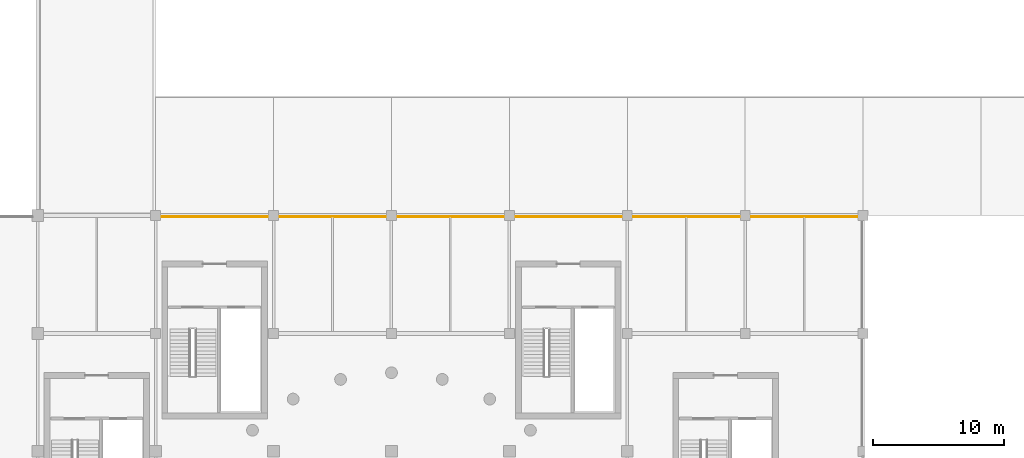
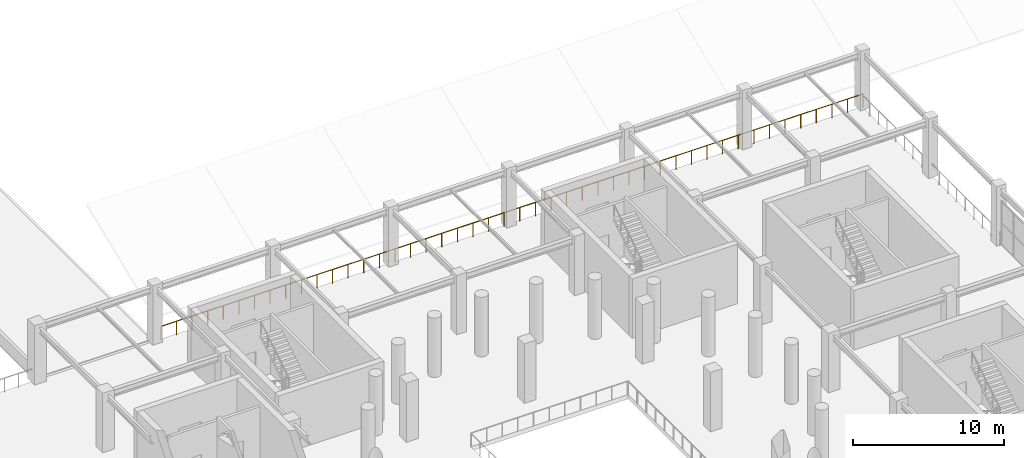
# One storey, part 78 of 89: 1 railing.
"""IFC4 building model written with IfcOpenShell, lengths in metres."""

import ifcopenshell
import ifcopenshell.guid

model = None  # the IFC model being written
_history = None  # IfcOwnerHistory: only IFC2X3 demands one
_inside = {}  # id of a spatial element -> (the spatial element, [elements in it])
_under = {}  # id of a project, library or spatial element -> (it, [spatial elements below it])
_declared = {}  # id of a project -> (the project, [libraries it declares])
_typed = {}  # id of a type object -> (the type object, [elements of that type])
_made_of = {}  # id of a material, layer set ... -> (it, [elements and type objects made of it])


def new_model(schema):
    """Start an empty IFC model of exactly this schema.

    Asked for "IFC4X3", IfcOpenShell would pick the latest addendum, in which some entities
    have other attributes; the version numbers below select the first issue.
    IFC2X3 requires an IfcOwnerHistory on every rooted entity: one is made here for all.
    """
    global model, _history
    if schema == "IFC4X3":
        model = ifcopenshell.file(schema_version=(4, 3, 0, 0))
    else:
        model = ifcopenshell.file(schema=schema)
    _inside.clear()
    _under.clear()
    _declared.clear()
    _typed.clear()
    _made_of.clear()
    _history = None
    if model.schema == "IFC2X3":
        org = make("IfcOrganization", Name="unknown")
        user = make(
            "IfcPersonAndOrganization",
            ThePerson=make("IfcPerson", FamilyName="unknown"),
            TheOrganization=org,
        )
        app = make(
            "IfcApplication",
            ApplicationDeveloper=org,
            Version="unknown",
            ApplicationFullName="unknown",
            ApplicationIdentifier="unknown",
        )
        _history = make(
            "IfcOwnerHistory",
            OwningUser=user,
            OwningApplication=app,
            ChangeAction="ADDED",
            CreationDate=0,
        )
    return model


def make(cls, **values):
    """One entity of the class cls with the attributes given. An attribute that is None is left unset."""
    return model.create_entity(
        cls, **{name: value for name, value in values.items() if value is not None}
    )


def rooted(cls, **values):
    """An entity with a GlobalId (a new one), such as an element, a storey or a relation."""
    return make(cls, GlobalId=ifcopenshell.guid.new(), OwnerHistory=_history, **values)


def si_unit(unit_type, name, prefix=None):
    """IfcSIUnit, for example si_unit("LENGTHUNIT", "METRE", prefix="MILLI")."""
    return make("IfcSIUnit", UnitType=unit_type, Prefix=prefix, Name=name)


def assignment(units):
    """IfcUnitAssignment: the units of a project."""
    return None if units is None else make("IfcUnitAssignment", Units=units)


def point(xyz):
    """IfcCartesianPoint."""
    return None if xyz is None else make("IfcCartesianPoint", Coordinates=xyz)


def direction(xyz):
    """IfcDirection."""
    return None if xyz is None else make("IfcDirection", DirectionRatios=xyz)


def frame(location, z_axis=None, x_axis=None):
    """IfcAxis2Placement3D, a coordinate frame: its origin and axes. An axis left out is left unset."""
    return make(
        "IfcAxis2Placement3D",
        Location=point(location),
        Axis=direction(z_axis),
        RefDirection=direction(x_axis),
    )


def frame_2d(location, x_axis=None):
    """IfcAxis2Placement2D, a coordinate frame in the plane: its origin and x axis."""
    return make(
        "IfcAxis2Placement2D", Location=point(location), RefDirection=direction(x_axis)
    )


def origin():
    """The frame at (0, 0, 0) with its axes left unset."""
    return frame((0.0, 0.0, 0.0))


def origin_2d():
    """The frame at (0, 0) in the plane with its x axis left unset."""
    return frame_2d((0.0, 0.0))


def place(relative_to, where):
    """IfcLocalPlacement: puts the frame where relative to a parent placement (None: the world)."""
    return make(
        "IfcLocalPlacement", PlacementRelTo=relative_to, RelativePlacement=where
    )


def context(
    kind, dimensions, precision=None, world=None, true_north=None, identifier=None
):
    """IfcGeometricRepresentationContext, for example the 3D "Model" context."""
    return make(
        "IfcGeometricRepresentationContext",
        ContextIdentifier=identifier,
        ContextType=kind,
        CoordinateSpaceDimension=dimensions,
        Precision=precision,
        WorldCoordinateSystem=world,
        TrueNorth=true_north,
    )


def subcontext(parent, identifier, kind, view, scale=None):
    """IfcGeometricRepresentationSubContext, for example "Body" below "Model"."""
    return make(
        "IfcGeometricRepresentationSubContext",
        ContextIdentifier=identifier,
        ContextType=kind,
        ParentContext=parent,
        TargetScale=scale,
        TargetView=view,
    )


def project(units=None, contexts=None):
    """IfcProject with its units and contexts."""
    return rooted(
        "IfcProject",
        Name="project",
        RepresentationContexts=contexts,
        UnitsInContext=assignment(units),
    )


def spatial(cls, under=None, at=None, **own):
    """A site, building, storey or space (cls), placed at a placement, below another one or the project."""
    s = rooted(cls, ObjectPlacement=at, **own)
    if under is not None:
        _under.setdefault(under.id(), (under, []))[1].append(s)
    return s


def profile(cls, at=None, kind="AREA", **sizes):
    """A parametric profile (cls). Its sizes go by their IFC names, for example OverallWidth=200.0."""
    return make(cls, ProfileType=kind, Position=at, **sizes)


def circle(**sizes):
    """IfcCircleProfileDef."""
    return profile("IfcCircleProfileDef", **sizes)


def extrude(swept, where, along, depth):
    """IfcExtrudedAreaSolid: the profile swept, set in the frame where, extruded along a direction by depth."""
    return make(
        "IfcExtrudedAreaSolid",
        SweptArea=swept,
        Position=where,
        ExtrudedDirection=direction(along),
        Depth=depth,
    )


def shape(context_of_items, identifier, shape_type, items):
    """IfcShapeRepresentation: the items that make up one representation, for example the "Body"."""
    return make(
        "IfcShapeRepresentation",
        ContextOfItems=context_of_items,
        RepresentationIdentifier=identifier,
        RepresentationType=shape_type,
        Items=items,
    )


def material(Name=None, Category=None):
    """IfcMaterial."""
    return make("IfcMaterial", Name=Name, Category=Category)


def made_of(thing, what):
    """Note that an element or type object is made of a material, layer set ...; save() writes the relation."""
    if what is not None:
        _made_of.setdefault(what.id(), (what, []))[1].append(thing)
    return thing


def type_object(cls, material=None, **own):
    """A type object (cls), such as IfcWallType, which elements share."""
    return made_of(rooted(cls, **own), material)


def element(
    cls,
    number,
    at=None,
    inside=None,
    cuts=None,
    type_object=None,
    material=None,
    context=None,
    identifier="Body",
    shape_type=None,
    held_by="IfcProductDefinitionShape",
    body=None,
    shapes=None,
    **own,
):
    """One element of the class cls, such as IfcWall. Its Tag is "e" and its number.

    at: its placement. inside: the storey or other place that contains it. cuts: it is an
    opening in that element (IfcRelVoidsElement). A single representation is given by context,
    identifier, shape_type and body (its items); several are given by shapes. held_by: the class
    of the entity that holds the representations. save() writes the other relations.
    """
    e = rooted(cls, Tag="e%d" % number, ObjectPlacement=at, **own)
    if body is not None:
        shapes = [shape(context, identifier, shape_type, body)]
    if shapes is not None:
        e.Representation = make(held_by, Representations=shapes)
    if inside is not None:
        _inside.setdefault(inside.id(), (inside, []))[1].append(e)
    if cuts is not None:
        rooted(
            "IfcRelVoidsElement", RelatingBuildingElement=cuts, RelatedOpeningElement=e
        )
    if type_object is not None:
        _typed.setdefault(type_object.id(), (type_object, []))[1].append(e)
    return made_of(e, material)


def aggregate(whole, parts):
    """IfcRelAggregates: a whole, such as a stair, and the parts it consists of."""
    return rooted("IfcRelAggregates", RelatingObject=whole, RelatedObjects=parts)


def save(model, path):
    """Write the relations noted so far, then the file.

    IfcRelAggregates (storeys below a building ...), IfcRelContainedInSpatialStructure (elements
    in a storey), IfcRelDefinesByType, IfcRelAssociatesMaterial and IfcRelDeclares: one each for
    every whole, place, type object, material and project.
    """
    for whole, parts in _under.values():
        aggregate(whole, parts)
    for where, things in _inside.values():
        rooted(
            "IfcRelContainedInSpatialStructure",
            RelatedElements=things,
            RelatingStructure=where,
        )
    for kind, things in _typed.values():
        rooted("IfcRelDefinesByType", RelatedObjects=things, RelatingType=kind)
    for what, things in _made_of.values():
        rooted("IfcRelAssociatesMaterial", RelatedObjects=things, RelatingMaterial=what)
    for by, libraries in _declared.values():
        rooted("IfcRelDeclares", RelatingContext=by, RelatedDefinitions=libraries)
    model.write(path)


model = new_model("IFC4")

# Units and contexts
model_context = context("Model", 3, precision=1e-05, world=origin(), true_north=direction((0.0, 1.0)))
body_context = subcontext(model_context, "Body", "Model", "MODEL_VIEW")
ifc_project = project(units=[si_unit("LENGTHUNIT", "METRE"), si_unit("AREAUNIT", "SQUARE_METRE"), si_unit("VOLUMEUNIT", "CUBIC_METRE"), si_unit("PLANEANGLEUNIT", "RADIAN"), si_unit("MASSUNIT", "GRAM", prefix="KILO")], contexts=[model_context])

# Site, building, storey
site_placement = place(None, origin())
site = spatial("IfcSite", under=ifc_project, at=site_placement, CompositionType="ELEMENT")
building_placement = place(site_placement, origin())
building = spatial("IfcBuilding", under=site, at=building_placement, Name="Dornveld Trade and Exhibition Forum", CompositionType="ELEMENT")
storey_placement = place(building_placement, frame((0.0, 0.0, 12.0)))
storey = spatial("IfcBuildingStorey", under=building, at=storey_placement, Name="L02", CompositionType="ELEMENT", Elevation=12.0)

# Railing
ifc_material = material(Name="Dark-bronze steel and laminated glass balustrade", Category="steel")
railing_type = type_object("IfcRailingType", Name="RL-BALUST-CONC", PredefinedType="BALUSTRADE", material=ifc_material)
railing_placement = place(storey_placement, frame((99.39990234375, 107.89990234375, 0.0)))
element("IfcRailing", 1, at=railing_placement, inside=storey, type_object=railing_type, Name="L02 deck edge balustrade 138", PredefinedType="BALUSTRADE", context=body_context, shape_type="SweptSolid", body=[
    extrude(circle(Radius=0.02490234375, at=origin_2d()), frame((0.0, 0.0, 1.09521484375), z_axis=(1.0, 0.0, 0.0), x_axis=(0.0, 1.0, 0.0)), (0.0, 0.0, 1.0), 53.60009765625),
    extrude(circle(Radius=0.02099609375, at=origin_2d()), origin(), (0.0, 0.0, 1.0), 1.070068359375),
    extrude(circle(Radius=0.02099609375, at=origin_2d()), frame((1.191162109375, 0.0, 0.0)), (0.0, 0.0, 1.0), 1.070068359375),
    extrude(circle(Radius=0.02099609375, at=origin_2d()), frame((2.38232421875, 0.0, 0.0)), (0.0, 0.0, 1.0), 1.070068359375),
    extrude(circle(Radius=0.02099609375, at=origin_2d()), frame((3.5732421875, 0.0, 0.0)), (0.0, 0.0, 1.0), 1.070068359375),
    extrude(circle(Radius=0.02099609375, at=origin_2d()), frame((4.764404296875, 0.0, 0.0)), (0.0, 0.0, 1.0), 1.070068359375),
    extrude(circle(Radius=0.02099609375, at=origin_2d()), frame((5.95556640625, 0.0, 0.0)), (0.0, 0.0, 1.0), 1.070068359375),
    extrude(circle(Radius=0.02099609375, at=origin_2d()), frame((7.146728515625, 0.0, 0.0)), (0.0, 0.0, 1.0), 1.070068359375),
    extrude(circle(Radius=0.02099609375, at=origin_2d()), frame((8.337890625, 0.0, 0.0)), (0.0, 0.0, 1.0), 1.070068359375),
    extrude(circle(Radius=0.02099609375, at=origin_2d()), frame((9.52880859375, 0.0, 0.0)), (0.0, 0.0, 1.0), 1.070068359375),
    extrude(circle(Radius=0.02099609375, at=origin_2d()), frame((10.719970703125, 0.0, 0.0)), (0.0, 0.0, 1.0), 1.070068359375),
    extrude(circle(Radius=0.02099609375, at=origin_2d()), frame((11.9111328125, 0.0, 0.0)), (0.0, 0.0, 1.0), 1.070068359375),
    extrude(circle(Radius=0.02099609375, at=origin_2d()), frame((13.102294921875, 0.0, 0.0)), (0.0, 0.0, 1.0), 1.070068359375),
    extrude(circle(Radius=0.02099609375, at=origin_2d()), frame((14.29345703125, 0.0, 0.0)), (0.0, 0.0, 1.0), 1.070068359375),
    extrude(circle(Radius=0.02099609375, at=origin_2d()), frame((15.484375, 0.0, 0.0)), (0.0, 0.0, 1.0), 1.070068359375),
    extrude(circle(Radius=0.02099609375, at=origin_2d()), frame((16.675537109375, 0.0, 0.0)), (0.0, 0.0, 1.0), 1.070068359375),
    extrude(circle(Radius=0.02099609375, at=origin_2d()), frame((17.86669921875, 0.0, 0.0)), (0.0, 0.0, 1.0), 1.070068359375),
    extrude(circle(Radius=0.02099609375, at=origin_2d()), frame((19.057861328125, 0.0, 0.0)), (0.0, 0.0, 1.0), 1.070068359375),
    extrude(circle(Radius=0.02099609375, at=origin_2d()), frame((20.2490234375, 0.0, 0.0)), (0.0, 0.0, 1.0), 1.070068359375),
    extrude(circle(Radius=0.02099609375, at=origin_2d()), frame((21.43994140625, 0.0, 0.0)), (0.0, 0.0, 1.0), 1.070068359375),
    extrude(circle(Radius=0.02099609375, at=origin_2d()), frame((22.631103515625, 0.0, 0.0)), (0.0, 0.0, 1.0), 1.070068359375),
    extrude(circle(Radius=0.02099609375, at=origin_2d()), frame((23.822265625, 0.0, 0.0)), (0.0, 0.0, 1.0), 1.070068359375),
    extrude(circle(Radius=0.02099609375, at=origin_2d()), frame((25.013427734375, 0.0, 0.0)), (0.0, 0.0, 1.0), 1.070068359375),
    extrude(circle(Radius=0.02099609375, at=origin_2d()), frame((26.20458984375, 0.0, 0.0)), (0.0, 0.0, 1.0), 1.070068359375),
    extrude(circle(Radius=0.02099609375, at=origin_2d()), frame((27.3955078125, 0.0, 0.0)), (0.0, 0.0, 1.0), 1.070068359375),
    extrude(circle(Radius=0.02099609375, at=origin_2d()), frame((28.586669921875, 0.0, 0.0)), (0.0, 0.0, 1.0), 1.070068359375),
    extrude(circle(Radius=0.02099609375, at=origin_2d()), frame((29.77783203125, 0.0, 0.0)), (0.0, 0.0, 1.0), 1.070068359375),
    extrude(circle(Radius=0.02099609375, at=origin_2d()), frame((30.968994140625, 0.0, 0.0)), (0.0, 0.0, 1.0), 1.070068359375),
    extrude(circle(Radius=0.02099609375, at=origin_2d()), frame((32.16015625, 0.0, 0.0)), (0.0, 0.0, 1.0), 1.070068359375),
    extrude(circle(Radius=0.02099609375, at=origin_2d()), frame((33.35107421875, 0.0, 0.0)), (0.0, 0.0, 1.0), 1.070068359375),
    extrude(circle(Radius=0.02099609375, at=origin_2d()), frame((34.542236328125, 0.0, 0.0)), (0.0, 0.0, 1.0), 1.070068359375),
    extrude(circle(Radius=0.02099609375, at=origin_2d()), frame((35.7333984375, 0.0, 0.0)), (0.0, 0.0, 1.0), 1.070068359375),
    extrude(circle(Radius=0.02099609375, at=origin_2d()), frame((36.924560546875, 0.0, 0.0)), (0.0, 0.0, 1.0), 1.070068359375),
    extrude(circle(Radius=0.02099609375, at=origin_2d()), frame((38.11572265625, 0.0, 0.0)), (0.0, 0.0, 1.0), 1.070068359375),
    extrude(circle(Radius=0.02099609375, at=origin_2d()), frame((39.306640625, 0.0, 0.0)), (0.0, 0.0, 1.0), 1.070068359375),
    extrude(circle(Radius=0.02099609375, at=origin_2d()), frame((40.497802734375, 0.0, 0.0)), (0.0, 0.0, 1.0), 1.070068359375),
    extrude(circle(Radius=0.02099609375, at=origin_2d()), frame((41.68896484375, 0.0, 0.0)), (0.0, 0.0, 1.0), 1.070068359375),
    extrude(circle(Radius=0.02099609375, at=origin_2d()), frame((42.880126953125, 0.0, 0.0)), (0.0, 0.0, 1.0), 1.070068359375),
    extrude(circle(Radius=0.02099609375, at=origin_2d()), frame((44.0712890625, 0.0, 0.0)), (0.0, 0.0, 1.0), 1.070068359375),
    extrude(circle(Radius=0.02099609375, at=origin_2d()), frame((45.26220703125, 0.0, 0.0)), (0.0, 0.0, 1.0), 1.070068359375),
    extrude(circle(Radius=0.02099609375, at=origin_2d()), frame((46.453369140625, 0.0, 0.0)), (0.0, 0.0, 1.0), 1.070068359375),
    extrude(circle(Radius=0.02099609375, at=origin_2d()), frame((47.64453125, 0.0, 0.0)), (0.0, 0.0, 1.0), 1.070068359375),
    extrude(circle(Radius=0.02099609375, at=origin_2d()), frame((48.835693359375, 0.0, 0.0)), (0.0, 0.0, 1.0), 1.070068359375),
    extrude(circle(Radius=0.02099609375, at=origin_2d()), frame((50.02685546875, 0.0, 0.0)), (0.0, 0.0, 1.0), 1.070068359375),
    extrude(circle(Radius=0.02099609375, at=origin_2d()), frame((51.2177734375, 0.0, 0.0)), (0.0, 0.0, 1.0), 1.070068359375),
    extrude(circle(Radius=0.02099609375, at=origin_2d()), frame((52.408935546875, 0.0, 0.0)), (0.0, 0.0, 1.0), 1.070068359375),
    extrude(circle(Radius=0.02099609375, at=origin_2d()), frame((53.60009765625, 0.0, 0.0)), (0.0, 0.0, 1.0), 1.070068359375),
])

save(model, "model.ifc")
